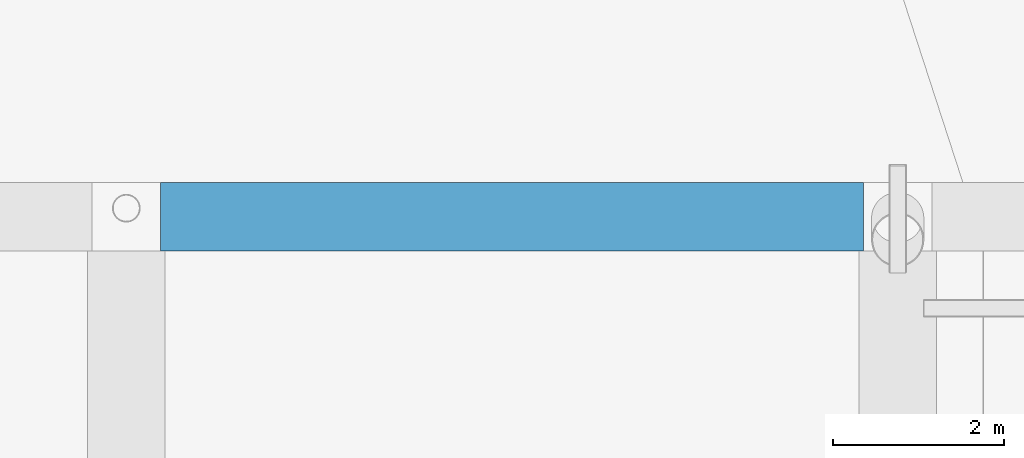
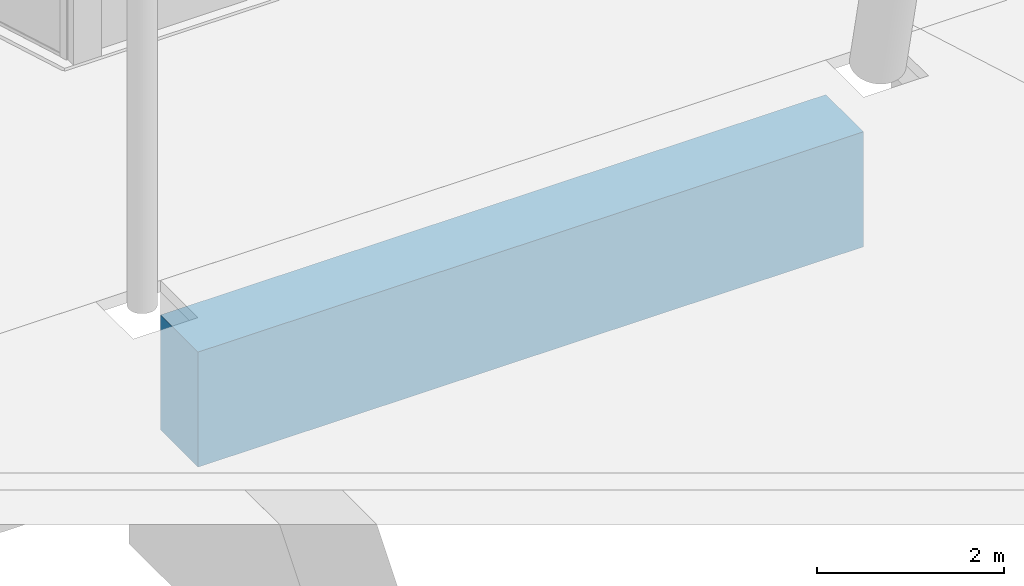
# One storey, part 4 of 72: 1 beam.
"""IFC4 building model written with IfcOpenShell, lengths in metres."""

from ifc_helpers import new_model, si_unit, direction, frame, origin, origin_2d, place, context, subcontext, project, spatial, rectangle, extrude, material, material_profile, profile_set, type_object, element, save


model = new_model("IFC4")

# Units and contexts
model_context = context("Model", 3, precision=1e-05, world=origin(), true_north=direction((0.0, 1.0)))
body_context = subcontext(model_context, "Body", "Model", "MODEL_VIEW")
ifc_project = project(units=[si_unit("LENGTHUNIT", "METRE"), si_unit("AREAUNIT", "SQUARE_METRE"), si_unit("VOLUMEUNIT", "CUBIC_METRE"), si_unit("PLANEANGLEUNIT", "RADIAN"), si_unit("MASSUNIT", "GRAM", prefix="KILO")], contexts=[model_context])

# Site, building, storey
site_placement = place(None, origin())
site = spatial("IfcSite", under=ifc_project, at=site_placement, CompositionType="ELEMENT")
building_placement = place(site_placement, origin())
building = spatial("IfcBuilding", under=site, at=building_placement, Name="Tuart Plaza Theatre", CompositionType="ELEMENT")
storey_placement = place(building_placement, origin())
storey = spatial("IfcBuildingStorey", under=building, at=storey_placement, Name="L00", CompositionType="ELEMENT", Elevation=0.0)

# Beam
ifc_material = material(Name="Concrete N40 (40 MPa)", Category="concrete")
ifc_material_profile = material_profile(ifc_material, rectangle(XDim=0.800048828125, YDim=1.5, at=origin_2d()), Name="BEAM 800x1500 Concrete N40 (40 MPa)")
ifc_profile_set = profile_set([ifc_material_profile], Name="Concrete N40 (40 MPa)")
beam_type = type_object("IfcBeamType", Name="BEAM 800x1500 Concrete N40 (40 MPa)", PredefinedType="BEAM", material=ifc_profile_set)
beam_placement = place(storey_placement, frame((78.39990234375, 38.0, -1.199951171875), z_axis=(1.0, 0.0, 0.0), x_axis=(0.0, 1.0, 0.0)))
element("IfcBeam", 1, at=beam_placement, inside=storey, type_object=beam_type, Name="RB423", PredefinedType="BEAM", context=body_context, shape_type="SweptSolid", body=[
    extrude(rectangle(XDim=0.800048828125, YDim=1.5, at=origin_2d()), origin(), (0.0, 0.0, 1.0), 8.2001953125),
])

save(model, "model.ifc")
